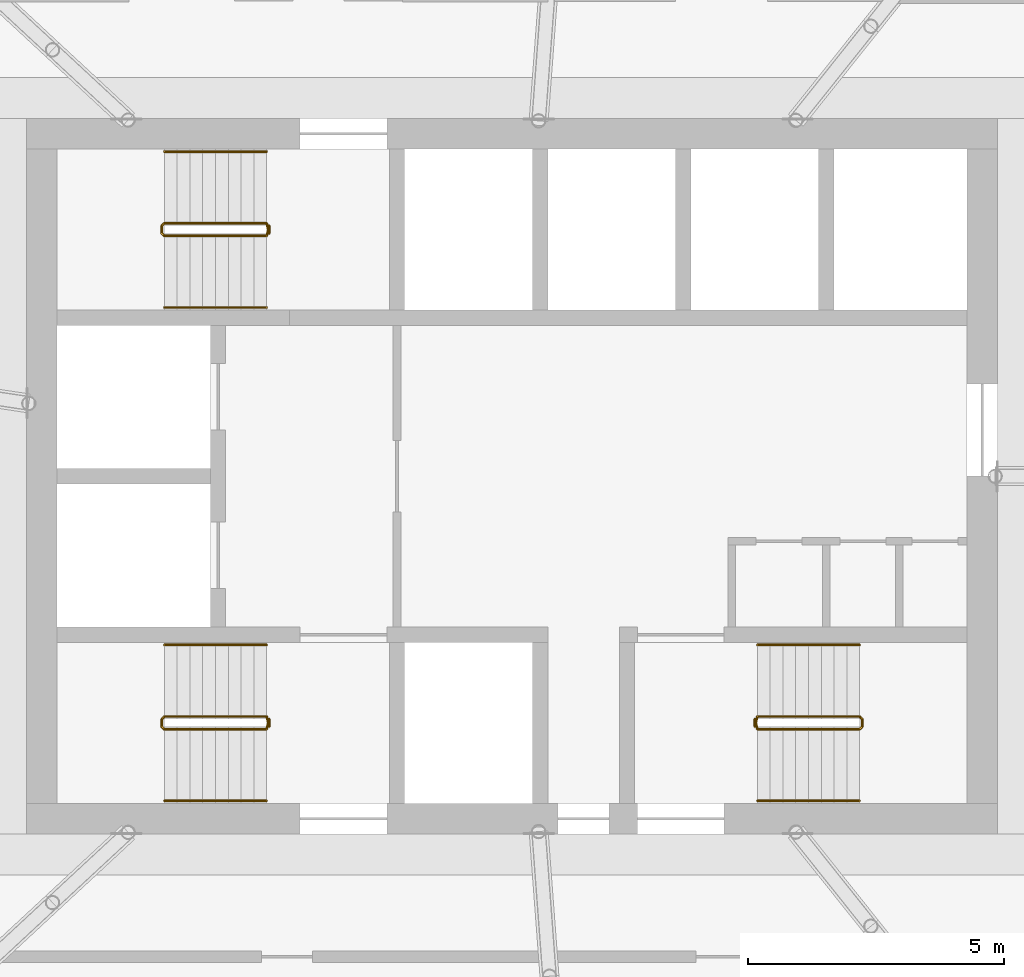
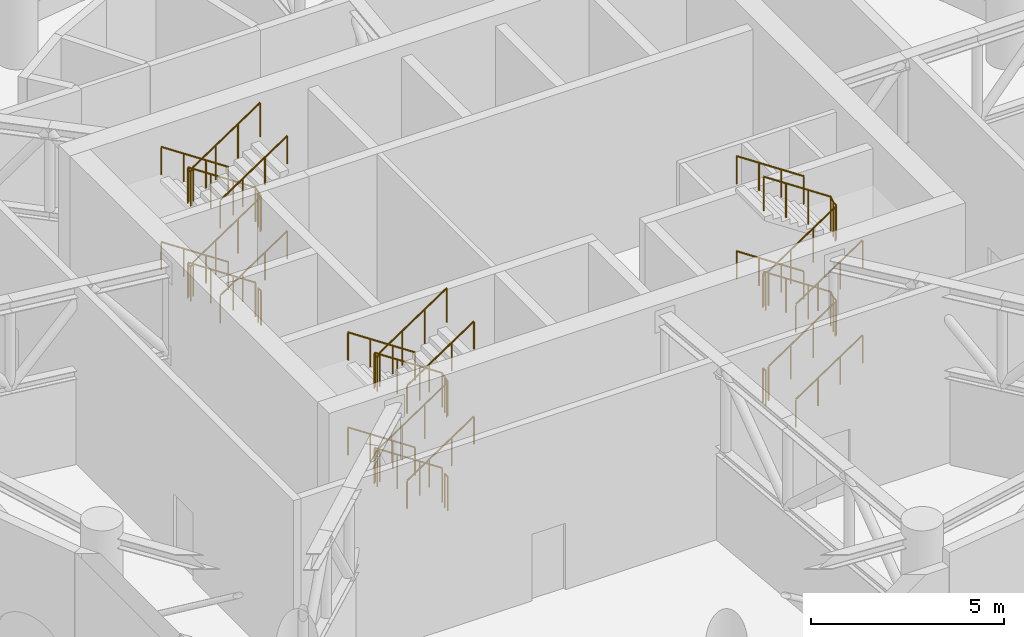
# One storey, part 13 of 13: 18 railings.
"""IFC4 building model written with IfcOpenShell, lengths in metres."""

from ifc_helpers import new_model, si_unit, direction, frame, origin, origin_2d, place, context, subcontext, project, spatial, circle, extrude, material, type_object, element, save


model = new_model("IFC4")

# Units and contexts
model_context = context("Model", 3, precision=1e-05, world=origin(), true_north=direction((0.0, 1.0)))
body_context = subcontext(model_context, "Body", "Model", "MODEL_VIEW")
ifc_project = project(units=[si_unit("LENGTHUNIT", "METRE"), si_unit("AREAUNIT", "SQUARE_METRE"), si_unit("VOLUMEUNIT", "CUBIC_METRE"), si_unit("PLANEANGLEUNIT", "RADIAN"), si_unit("MASSUNIT", "GRAM", prefix="KILO")], contexts=[model_context])

# Site, building, storey
site_placement = place(None, origin())
site = spatial("IfcSite", under=ifc_project, at=site_placement, CompositionType="ELEMENT")
building_placement = place(site_placement, origin())
building = spatial("IfcBuilding", under=site, at=building_placement, Name="Tracery Tower", CompositionType="ELEMENT")
storey_placement = place(building_placement, frame((0.0, 0.0, 277.800048828125)))
storey = spatial("IfcBuildingStorey", under=building, at=storey_placement, Name="L72 Plant", CompositionType="ELEMENT", Elevation=277.800048828125)

# Railings
ifc_material_1 = material(Name="Stainless steel and laminated glass", Category="steel")
railing_type_1 = type_object("IfcRailingType", Name="Stair guard 1100", PredefinedType="GUARDRAIL", material=ifc_material_1)
railing_1_placement = place(storey_placement, frame((-4.800048828125, -4.699951171875, 0.16650390625)))
element("IfcRailing", 1, at=railing_1_placement, inside=storey, type_object=railing_type_1, Name="L72 Plant stair ST1 guard 1", PredefinedType="GUARDRAIL", context=body_context, shape_type="SweptSolid", body=[
    extrude(circle(Radius=0.02392578125, at=origin_2d()), frame((0.0, 0.0, 1.076171875), z_axis=(-0.832019042302, 0.0, 0.554747071418), x_axis=(0.0, -1.0, 0.0)), (0.0, 0.0, 1.0), 2.40380859375),
    extrude(circle(Radius=0.02392578125, at=origin_2d()), frame((-2.0, 0.0, 2.40966796875), z_axis=(-0.707106781187, -0.707106781187, 0.0), x_axis=(0.707106781187, -0.707106781187, 0.0)), (0.0, 0.0, 1.0), 0.07080078125),
    extrude(circle(Radius=0.02392578125, at=origin_2d()), frame((-2.050048828125, -0.050048828125, 2.40966796875), z_axis=(0.0, -1.0, 0.0), x_axis=(1.0, 0.0, 0.0)), (0.0, 0.0, 1.0), 0.14990234375),
    extrude(circle(Radius=0.02392578125, at=origin_2d()), frame((-2.050048828125, -0.199951171875, 2.40966796875), z_axis=(0.27662974545, -0.27662974545, 0.920299933644), x_axis=(0.707106781187, 0.707106781187, 0.0)), (0.0, 0.0, 1.0), 0.180908203125),
    extrude(circle(Radius=0.02392578125, at=origin_2d()), frame((-2.0, -0.25, 2.576171875), z_axis=(0.832019042302, 0.0, 0.554747071418), x_axis=(0.0, 1.0, 0.0)), (0.0, 0.0, 1.0), 2.40380859375),
    extrude(circle(Radius=0.02392578125, at=origin_2d()), frame((0.0, -0.25, 3.90966796875), z_axis=(0.242814311512, 0.970072785993, 0.0), x_axis=(-0.970072785993, 0.242814311512, 0.0)), (0.0, 0.0, 1.0), 0.2060546875),
    extrude(circle(Radius=0.02392578125, at=origin_2d()), frame((0.050048828125, -0.050048828125, 3.90966796875), z_axis=(0.0, -1.0, 0.0), x_axis=(1.0, 0.0, 0.0)), (0.0, 0.0, 1.0), 0.14990234375),
    extrude(circle(Radius=0.02392578125, at=origin_2d()), frame((0.050048828125, -0.199951171875, 3.90966796875), z_axis=(-0.188885146209, 0.754619193878, 0.628388632753), x_axis=(-0.970072785993, -0.242814311512, 0.0)), (0.0, 0.0, 1.0), 0.264892578125),
    extrude(circle(Radius=0.02392578125, at=origin_2d()), frame((0.0, 0.0, 4.076171875), z_axis=(-0.832019042302, 0.0, 0.554747071418), x_axis=(0.0, -1.0, 0.0)), (0.0, 0.0, 1.0), 2.40380859375),
    extrude(circle(Radius=0.02392578125, at=origin_2d()), frame((-2.0, 0.0, 5.40966796875), z_axis=(-0.707106781187, -0.707106781187, 0.0), x_axis=(0.707106781187, -0.707106781187, 0.0)), (0.0, 0.0, 1.0), 0.07080078125),
    extrude(circle(Radius=0.02392578125, at=origin_2d()), frame((-2.050048828125, -0.050048828125, 5.40966796875), z_axis=(0.0, -1.0, 0.0), x_axis=(1.0, 0.0, 0.0)), (0.0, 0.0, 1.0), 0.14990234375),
    extrude(circle(Radius=0.02392578125, at=origin_2d()), frame((-2.050048828125, -0.199951171875, 5.40966796875), z_axis=(0.27662974545, -0.27662974545, 0.920299933644), x_axis=(0.707106781187, 0.707106781187, 0.0)), (0.0, 0.0, 1.0), 0.180908203125),
    extrude(circle(Radius=0.02392578125, at=origin_2d()), frame((-2.0, -0.25, 5.576171875), z_axis=(0.832019042302, 0.0, 0.554747071418), x_axis=(0.0, 1.0, 0.0)), (0.0, 0.0, 1.0), 2.40380859375),
    extrude(circle(Radius=0.02099609375, at=origin_2d()), origin(), (0.0, 0.0, 1.0), 1.052001953125),
    extrude(circle(Radius=0.02099609375, at=origin_2d()), frame((-0.666748046875, 0.0, 0.444580078125)), (0.0, 0.0, 1.0), 1.052001953125),
    extrude(circle(Radius=0.02099609375, at=origin_2d()), frame((-1.333251953125, 0.0, 0.888916015625)), (0.0, 0.0, 1.0), 1.052001953125),
    extrude(circle(Radius=0.02099609375, at=origin_2d()), frame((-2.0, 0.0, 1.33349609375)), (0.0, 0.0, 1.0), 1.052001953125),
    extrude(circle(Radius=0.02099609375, at=origin_2d()), frame((-2.050048828125, -0.050048828125, 1.33349609375)), (0.0, 0.0, 1.0), 1.052001953125),
    extrude(circle(Radius=0.02099609375, at=origin_2d()), frame((-2.050048828125, -0.199951171875, 1.33349609375)), (0.0, 0.0, 1.0), 1.052001953125),
    extrude(circle(Radius=0.02099609375, at=origin_2d()), frame((-2.0, -0.25, 1.5)), (0.0, 0.0, 1.0), 1.052001953125),
    extrude(circle(Radius=0.02099609375, at=origin_2d()), frame((-1.333251953125, -0.25, 1.944580078125)), (0.0, 0.0, 1.0), 1.052001953125),
    extrude(circle(Radius=0.02099609375, at=origin_2d()), frame((-0.666748046875, -0.25, 2.388916015625)), (0.0, 0.0, 1.0), 1.052001953125),
    extrude(circle(Radius=0.02099609375, at=origin_2d()), frame((0.0, -0.25, 2.83349609375)), (0.0, 0.0, 1.0), 1.052001953125),
    extrude(circle(Radius=0.02099609375, at=origin_2d()), frame((0.050048828125, -0.050048828125, 2.83349609375)), (0.0, 0.0, 1.0), 1.052001953125),
    extrude(circle(Radius=0.02099609375, at=origin_2d()), frame((0.050048828125, -0.199951171875, 2.83349609375)), (0.0, 0.0, 1.0), 1.052001953125),
    extrude(circle(Radius=0.02099609375, at=origin_2d()), frame((0.0, 0.0, 3.0)), (0.0, 0.0, 1.0), 1.052001953125),
    extrude(circle(Radius=0.02099609375, at=origin_2d()), frame((-0.666748046875, 0.0, 3.444580078125)), (0.0, 0.0, 1.0), 1.052001953125),
    extrude(circle(Radius=0.02099609375, at=origin_2d()), frame((-1.333251953125, 0.0, 3.888916015625)), (0.0, 0.0, 1.0), 1.052001953125),
    extrude(circle(Radius=0.02099609375, at=origin_2d()), frame((-2.0, 0.0, 4.33349609375)), (0.0, 0.0, 1.0), 1.052001953125),
    extrude(circle(Radius=0.02099609375, at=origin_2d()), frame((-2.050048828125, -0.050048828125, 4.33349609375)), (0.0, 0.0, 1.0), 1.052001953125),
    extrude(circle(Radius=0.02099609375, at=origin_2d()), frame((-2.050048828125, -0.199951171875, 4.33349609375)), (0.0, 0.0, 1.0), 1.052001953125),
    extrude(circle(Radius=0.02099609375, at=origin_2d()), frame((-2.0, -0.25, 4.5)), (0.0, 0.0, 1.0), 1.052001953125),
    extrude(circle(Radius=0.02099609375, at=origin_2d()), frame((-1.333251953125, -0.25, 4.944580078125)), (0.0, 0.0, 1.0), 1.052001953125),
    extrude(circle(Radius=0.02099609375, at=origin_2d()), frame((-0.666748046875, -0.25, 5.388916015625)), (0.0, 0.0, 1.0), 1.052001953125),
    extrude(circle(Radius=0.02099609375, at=origin_2d()), frame((0.0, -0.25, 5.83349609375)), (0.0, 0.0, 1.0), 1.052001953125),
])
railing_2_placement = place(storey_placement, frame((-4.75, -4.75, 0.0)))
element("IfcRailing", 2, at=railing_2_placement, inside=storey, type_object=railing_type_1, Name="L72 Plant stair ST1 guard 2", PredefinedType="GUARDRAIL", context=body_context, shape_type="SweptSolid", body=[
    extrude(circle(Radius=0.02392578125, at=origin_2d()), frame((0.0, 0.0, 1.076171875), z_axis=(0.0, -1.0, 0.0), x_axis=(1.0, 0.0, 0.0)), (0.0, 0.0, 1.0), 0.14990234375),
    extrude(circle(Radius=0.02099609375, at=origin_2d()), origin(), (0.0, 0.0, 1.0), 1.052001953125),
    extrude(circle(Radius=0.02099609375, at=origin_2d()), frame((0.0, -0.14990234375, 0.0)), (0.0, 0.0, 1.0), 1.052001953125),
])
railing_3_placement = place(storey_placement, frame((-4.800048828125, 4.949951171875, 0.16650390625)))
element("IfcRailing", 3, at=railing_3_placement, inside=storey, type_object=railing_type_1, Name="L72 Plant stair ST3 guard 1", PredefinedType="GUARDRAIL", context=body_context, shape_type="SweptSolid", body=[
    extrude(circle(Radius=0.02392578125, at=origin_2d()), frame((0.0, 0.0, 1.076171875), z_axis=(-0.832019042302, 0.0, 0.554747071418), x_axis=(0.0, -1.0, 0.0)), (0.0, 0.0, 1.0), 2.40380859375),
    extrude(circle(Radius=0.02392578125, at=origin_2d()), frame((-2.0, 0.0, 2.40966796875), z_axis=(-0.707106781187, -0.707106781187, 0.0), x_axis=(0.707106781187, -0.707106781187, 0.0)), (0.0, 0.0, 1.0), 0.07080078125),
    extrude(circle(Radius=0.02392578125, at=origin_2d()), frame((-2.050048828125, -0.050048828125, 2.40966796875), z_axis=(0.0, -1.0, 0.0), x_axis=(1.0, 0.0, 0.0)), (0.0, 0.0, 1.0), 0.14990234375),
    extrude(circle(Radius=0.02392578125, at=origin_2d()), frame((-2.050048828125, -0.199951171875, 2.40966796875), z_axis=(0.27662974545, -0.27662974545, 0.920299933644), x_axis=(0.707106781187, 0.707106781187, 0.0)), (0.0, 0.0, 1.0), 0.180908203125),
    extrude(circle(Radius=0.02392578125, at=origin_2d()), frame((-2.0, -0.25, 2.576171875), z_axis=(0.832019042302, 0.0, 0.554747071418), x_axis=(0.0, 1.0, 0.0)), (0.0, 0.0, 1.0), 2.40380859375),
    extrude(circle(Radius=0.02392578125, at=origin_2d()), frame((0.0, -0.25, 3.90966796875), z_axis=(0.242814311512, 0.970072785993, 0.0), x_axis=(-0.970072785993, 0.242814311512, 0.0)), (0.0, 0.0, 1.0), 0.2060546875),
    extrude(circle(Radius=0.02392578125, at=origin_2d()), frame((0.050048828125, -0.050048828125, 3.90966796875), z_axis=(0.0, -1.0, 0.0), x_axis=(1.0, 0.0, 0.0)), (0.0, 0.0, 1.0), 0.14990234375),
    extrude(circle(Radius=0.02392578125, at=origin_2d()), frame((0.050048828125, -0.199951171875, 3.90966796875), z_axis=(-0.188885146209, 0.754619193878, 0.628388632753), x_axis=(-0.970072785993, -0.242814311512, 0.0)), (0.0, 0.0, 1.0), 0.264892578125),
    extrude(circle(Radius=0.02392578125, at=origin_2d()), frame((0.0, 0.0, 4.076171875), z_axis=(-0.832019042302, 0.0, 0.554747071418), x_axis=(0.0, -1.0, 0.0)), (0.0, 0.0, 1.0), 2.40380859375),
    extrude(circle(Radius=0.02392578125, at=origin_2d()), frame((-2.0, 0.0, 5.40966796875), z_axis=(-0.707106781187, -0.707106781187, 0.0), x_axis=(0.707106781187, -0.707106781187, 0.0)), (0.0, 0.0, 1.0), 0.07080078125),
    extrude(circle(Radius=0.02392578125, at=origin_2d()), frame((-2.050048828125, -0.050048828125, 5.40966796875), z_axis=(0.0, -1.0, 0.0), x_axis=(1.0, 0.0, 0.0)), (0.0, 0.0, 1.0), 0.14990234375),
    extrude(circle(Radius=0.02392578125, at=origin_2d()), frame((-2.050048828125, -0.199951171875, 5.40966796875), z_axis=(0.27662974545, -0.27662974545, 0.920299933644), x_axis=(0.707106781187, 0.707106781187, 0.0)), (0.0, 0.0, 1.0), 0.180908203125),
    extrude(circle(Radius=0.02392578125, at=origin_2d()), frame((-2.0, -0.25, 5.576171875), z_axis=(0.832019042302, 0.0, 0.554747071418), x_axis=(0.0, 1.0, 0.0)), (0.0, 0.0, 1.0), 2.40380859375),
    extrude(circle(Radius=0.02099609375, at=origin_2d()), origin(), (0.0, 0.0, 1.0), 1.052001953125),
    extrude(circle(Radius=0.02099609375, at=origin_2d()), frame((-0.666748046875, 0.0, 0.444580078125)), (0.0, 0.0, 1.0), 1.052001953125),
    extrude(circle(Radius=0.02099609375, at=origin_2d()), frame((-1.333251953125, 0.0, 0.888916015625)), (0.0, 0.0, 1.0), 1.052001953125),
    extrude(circle(Radius=0.02099609375, at=origin_2d()), frame((-2.0, 0.0, 1.33349609375)), (0.0, 0.0, 1.0), 1.052001953125),
    extrude(circle(Radius=0.02099609375, at=origin_2d()), frame((-2.050048828125, -0.050048828125, 1.33349609375)), (0.0, 0.0, 1.0), 1.052001953125),
    extrude(circle(Radius=0.02099609375, at=origin_2d()), frame((-2.050048828125, -0.199951171875, 1.33349609375)), (0.0, 0.0, 1.0), 1.052001953125),
    extrude(circle(Radius=0.02099609375, at=origin_2d()), frame((-2.0, -0.25, 1.5)), (0.0, 0.0, 1.0), 1.052001953125),
    extrude(circle(Radius=0.02099609375, at=origin_2d()), frame((-1.333251953125, -0.25, 1.944580078125)), (0.0, 0.0, 1.0), 1.052001953125),
    extrude(circle(Radius=0.02099609375, at=origin_2d()), frame((-0.666748046875, -0.25, 2.388916015625)), (0.0, 0.0, 1.0), 1.052001953125),
    extrude(circle(Radius=0.02099609375, at=origin_2d()), frame((0.0, -0.25, 2.83349609375)), (0.0, 0.0, 1.0), 1.052001953125),
    extrude(circle(Radius=0.02099609375, at=origin_2d()), frame((0.050048828125, -0.050048828125, 2.83349609375)), (0.0, 0.0, 1.0), 1.052001953125),
    extrude(circle(Radius=0.02099609375, at=origin_2d()), frame((0.050048828125, -0.199951171875, 2.83349609375)), (0.0, 0.0, 1.0), 1.052001953125),
    extrude(circle(Radius=0.02099609375, at=origin_2d()), frame((0.0, 0.0, 3.0)), (0.0, 0.0, 1.0), 1.052001953125),
    extrude(circle(Radius=0.02099609375, at=origin_2d()), frame((-0.666748046875, 0.0, 3.444580078125)), (0.0, 0.0, 1.0), 1.052001953125),
    extrude(circle(Radius=0.02099609375, at=origin_2d()), frame((-1.333251953125, 0.0, 3.888916015625)), (0.0, 0.0, 1.0), 1.052001953125),
    extrude(circle(Radius=0.02099609375, at=origin_2d()), frame((-2.0, 0.0, 4.33349609375)), (0.0, 0.0, 1.0), 1.052001953125),
    extrude(circle(Radius=0.02099609375, at=origin_2d()), frame((-2.050048828125, -0.050048828125, 4.33349609375)), (0.0, 0.0, 1.0), 1.052001953125),
    extrude(circle(Radius=0.02099609375, at=origin_2d()), frame((-2.050048828125, -0.199951171875, 4.33349609375)), (0.0, 0.0, 1.0), 1.052001953125),
    extrude(circle(Radius=0.02099609375, at=origin_2d()), frame((-2.0, -0.25, 4.5)), (0.0, 0.0, 1.0), 1.052001953125),
    extrude(circle(Radius=0.02099609375, at=origin_2d()), frame((-1.333251953125, -0.25, 4.944580078125)), (0.0, 0.0, 1.0), 1.052001953125),
    extrude(circle(Radius=0.02099609375, at=origin_2d()), frame((-0.666748046875, -0.25, 5.388916015625)), (0.0, 0.0, 1.0), 1.052001953125),
    extrude(circle(Radius=0.02099609375, at=origin_2d()), frame((0.0, -0.25, 5.83349609375)), (0.0, 0.0, 1.0), 1.052001953125),
])
railing_4_placement = place(storey_placement, frame((-4.75, 4.89990234375, 0.0)))
element("IfcRailing", 4, at=railing_4_placement, inside=storey, type_object=railing_type_1, Name="L72 Plant stair ST3 guard 2", PredefinedType="GUARDRAIL", context=body_context, shape_type="SweptSolid", body=[
    extrude(circle(Radius=0.02392578125, at=origin_2d()), frame((0.0, 0.0, 1.076171875), z_axis=(0.0, -1.0, 0.0), x_axis=(1.0, 0.0, 0.0)), (0.0, 0.0, 1.0), 0.14990234375),
    extrude(circle(Radius=0.02099609375, at=origin_2d()), origin(), (0.0, 0.0, 1.0), 1.052001953125),
    extrude(circle(Radius=0.02099609375, at=origin_2d()), frame((0.0, -0.14990234375, 0.0)), (0.0, 0.0, 1.0), 1.052001953125),
])
railing_5_placement = place(storey_placement, frame((4.800048828125, -4.949951171875, 0.16650390625)))
element("IfcRailing", 5, at=railing_5_placement, inside=storey, type_object=railing_type_1, Name="L72 Plant stair ST2 guard 1", PredefinedType="GUARDRAIL", context=body_context, shape_type="SweptSolid", body=[
    extrude(circle(Radius=0.02392578125, at=origin_2d()), frame((0.0, 0.0, 1.076171875), z_axis=(0.832019042302, 0.0, 0.554747071418), x_axis=(0.0, 1.0, 0.0)), (0.0, 0.0, 1.0), 2.40380859375),
    extrude(circle(Radius=0.02392578125, at=origin_2d()), frame((2.0, 0.0, 2.40966796875), z_axis=(0.707106781187, 0.707106781187, 0.0), x_axis=(-0.707106781187, 0.707106781187, 0.0)), (0.0, 0.0, 1.0), 0.07080078125),
    extrude(circle(Radius=0.02392578125, at=origin_2d()), frame((2.050048828125, 0.050048828125, 2.40966796875), z_axis=(0.0, 1.0, 0.0), x_axis=(-1.0, 0.0, 0.0)), (0.0, 0.0, 1.0), 0.14990234375),
    extrude(circle(Radius=0.02392578125, at=origin_2d()), frame((2.050048828125, 0.199951171875, 2.40966796875), z_axis=(-0.27662974545, 0.27662974545, 0.920299933644), x_axis=(-0.707106781187, -0.707106781187, 0.0)), (0.0, 0.0, 1.0), 0.180908203125),
    extrude(circle(Radius=0.02392578125, at=origin_2d()), frame((2.0, 0.25, 2.576171875), z_axis=(-0.832019042302, 0.0, 0.554747071418), x_axis=(0.0, -1.0, 0.0)), (0.0, 0.0, 1.0), 2.40380859375),
    extrude(circle(Radius=0.02392578125, at=origin_2d()), frame((0.0, 0.25, 3.90966796875), z_axis=(-0.242814311512, -0.970072785993, 0.0), x_axis=(0.970072785993, -0.242814311512, 0.0)), (0.0, 0.0, 1.0), 0.2060546875),
    extrude(circle(Radius=0.02392578125, at=origin_2d()), frame((-0.050048828125, 0.050048828125, 3.90966796875), z_axis=(0.0, 1.0, 0.0), x_axis=(-1.0, 0.0, 0.0)), (0.0, 0.0, 1.0), 0.14990234375),
    extrude(circle(Radius=0.02392578125, at=origin_2d()), frame((-0.050048828125, 0.199951171875, 3.90966796875), z_axis=(0.188885146209, -0.754619193878, 0.628388632753), x_axis=(0.970072785993, 0.242814311512, 0.0)), (0.0, 0.0, 1.0), 0.264892578125),
    extrude(circle(Radius=0.02392578125, at=origin_2d()), frame((0.0, 0.0, 4.076171875), z_axis=(0.832019042302, 0.0, 0.554747071418), x_axis=(0.0, 1.0, 0.0)), (0.0, 0.0, 1.0), 2.40380859375),
    extrude(circle(Radius=0.02392578125, at=origin_2d()), frame((2.0, 0.0, 5.40966796875), z_axis=(0.707106781187, 0.707106781187, 0.0), x_axis=(-0.707106781187, 0.707106781187, 0.0)), (0.0, 0.0, 1.0), 0.07080078125),
    extrude(circle(Radius=0.02392578125, at=origin_2d()), frame((2.050048828125, 0.050048828125, 5.40966796875), z_axis=(0.0, 1.0, 0.0), x_axis=(-1.0, 0.0, 0.0)), (0.0, 0.0, 1.0), 0.14990234375),
    extrude(circle(Radius=0.02392578125, at=origin_2d()), frame((2.050048828125, 0.199951171875, 5.40966796875), z_axis=(-0.27662974545, 0.27662974545, 0.920299933644), x_axis=(-0.707106781187, -0.707106781187, 0.0)), (0.0, 0.0, 1.0), 0.180908203125),
    extrude(circle(Radius=0.02392578125, at=origin_2d()), frame((2.0, 0.25, 5.576171875), z_axis=(-0.832019042302, 0.0, 0.554747071418), x_axis=(0.0, -1.0, 0.0)), (0.0, 0.0, 1.0), 2.40380859375),
    extrude(circle(Radius=0.02099609375, at=origin_2d()), origin(), (0.0, 0.0, 1.0), 1.052001953125),
    extrude(circle(Radius=0.02099609375, at=origin_2d()), frame((0.666748046875, 0.0, 0.444580078125)), (0.0, 0.0, 1.0), 1.052001953125),
    extrude(circle(Radius=0.02099609375, at=origin_2d()), frame((1.333251953125, 0.0, 0.888916015625)), (0.0, 0.0, 1.0), 1.052001953125),
    extrude(circle(Radius=0.02099609375, at=origin_2d()), frame((2.0, 0.0, 1.33349609375)), (0.0, 0.0, 1.0), 1.052001953125),
    extrude(circle(Radius=0.02099609375, at=origin_2d()), frame((2.050048828125, 0.050048828125, 1.33349609375)), (0.0, 0.0, 1.0), 1.052001953125),
    extrude(circle(Radius=0.02099609375, at=origin_2d()), frame((2.050048828125, 0.199951171875, 1.33349609375)), (0.0, 0.0, 1.0), 1.052001953125),
    extrude(circle(Radius=0.02099609375, at=origin_2d()), frame((2.0, 0.25, 1.5)), (0.0, 0.0, 1.0), 1.052001953125),
    extrude(circle(Radius=0.02099609375, at=origin_2d()), frame((1.333251953125, 0.25, 1.944580078125)), (0.0, 0.0, 1.0), 1.052001953125),
    extrude(circle(Radius=0.02099609375, at=origin_2d()), frame((0.666748046875, 0.25, 2.388916015625)), (0.0, 0.0, 1.0), 1.052001953125),
    extrude(circle(Radius=0.02099609375, at=origin_2d()), frame((0.0, 0.25, 2.83349609375)), (0.0, 0.0, 1.0), 1.052001953125),
    extrude(circle(Radius=0.02099609375, at=origin_2d()), frame((-0.050048828125, 0.050048828125, 2.83349609375)), (0.0, 0.0, 1.0), 1.052001953125),
    extrude(circle(Radius=0.02099609375, at=origin_2d()), frame((-0.050048828125, 0.199951171875, 2.83349609375)), (0.0, 0.0, 1.0), 1.052001953125),
    extrude(circle(Radius=0.02099609375, at=origin_2d()), frame((0.0, 0.0, 3.0)), (0.0, 0.0, 1.0), 1.052001953125),
    extrude(circle(Radius=0.02099609375, at=origin_2d()), frame((0.666748046875, 0.0, 3.444580078125)), (0.0, 0.0, 1.0), 1.052001953125),
    extrude(circle(Radius=0.02099609375, at=origin_2d()), frame((1.333251953125, 0.0, 3.888916015625)), (0.0, 0.0, 1.0), 1.052001953125),
    extrude(circle(Radius=0.02099609375, at=origin_2d()), frame((2.0, 0.0, 4.33349609375)), (0.0, 0.0, 1.0), 1.052001953125),
    extrude(circle(Radius=0.02099609375, at=origin_2d()), frame((2.050048828125, 0.050048828125, 4.33349609375)), (0.0, 0.0, 1.0), 1.052001953125),
    extrude(circle(Radius=0.02099609375, at=origin_2d()), frame((2.050048828125, 0.199951171875, 4.33349609375)), (0.0, 0.0, 1.0), 1.052001953125),
    extrude(circle(Radius=0.02099609375, at=origin_2d()), frame((2.0, 0.25, 4.5)), (0.0, 0.0, 1.0), 1.052001953125),
    extrude(circle(Radius=0.02099609375, at=origin_2d()), frame((1.333251953125, 0.25, 4.944580078125)), (0.0, 0.0, 1.0), 1.052001953125),
    extrude(circle(Radius=0.02099609375, at=origin_2d()), frame((0.666748046875, 0.25, 5.388916015625)), (0.0, 0.0, 1.0), 1.052001953125),
    extrude(circle(Radius=0.02099609375, at=origin_2d()), frame((0.0, 0.25, 5.83349609375)), (0.0, 0.0, 1.0), 1.052001953125),
])
railing_6_placement = place(storey_placement, frame((4.75, -4.89990234375, 0.0)))
element("IfcRailing", 6, at=railing_6_placement, inside=storey, type_object=railing_type_1, Name="L72 Plant stair ST2 guard 2", PredefinedType="GUARDRAIL", context=body_context, shape_type="SweptSolid", body=[
    extrude(circle(Radius=0.02392578125, at=origin_2d()), frame((0.0, 0.0, 1.076171875), z_axis=(0.0, 1.0, 0.0), x_axis=(-1.0, 0.0, 0.0)), (0.0, 0.0, 1.0), 0.14990234375),
    extrude(circle(Radius=0.02099609375, at=origin_2d()), origin(), (0.0, 0.0, 1.0), 1.052001953125),
    extrude(circle(Radius=0.02099609375, at=origin_2d()), frame((0.0, 0.14990234375, 0.0)), (0.0, 0.0, 1.0), 1.052001953125),
])
ifc_material_2 = material(Name="Stainless steel and laminated glass", Category="steel")
railing_type_2 = type_object("IfcRailingType", Name="Stair handrail 900", PredefinedType="HANDRAIL", material=ifc_material_2)
railing_7_placement = place(storey_placement, frame((-4.800048828125, -3.300048828125, 0.16650390625)))
element("IfcRailing", 7, at=railing_7_placement, inside=storey, type_object=railing_type_2, Name="L72 Plant stair ST1 handrail 1", PredefinedType="HANDRAIL", context=body_context, shape_type="SweptSolid", body=[
    extrude(circle(Radius=0.02392578125, at=origin_2d()), frame((0.0, 0.0, 0.8759765625), z_axis=(-0.832019042302, 0.0, 0.554747071418), x_axis=(0.0, -1.0, 0.0)), (0.0, 0.0, 1.0), 2.40380859375),
    extrude(circle(Radius=0.02099609375, at=origin_2d()), origin(), (0.0, 0.0, 1.0), 0.851806640625),
    extrude(circle(Radius=0.02099609375, at=origin_2d()), frame((-0.666748046875, 0.0, 0.444580078125)), (0.0, 0.0, 1.0), 0.851806640625),
    extrude(circle(Radius=0.02099609375, at=origin_2d()), frame((-1.333251953125, 0.0, 0.888916015625)), (0.0, 0.0, 1.0), 0.851806640625),
    extrude(circle(Radius=0.02099609375, at=origin_2d()), frame((-2.0, 0.0, 1.33349609375)), (0.0, 0.0, 1.0), 0.851806640625),
])
railing_8_placement = place(storey_placement, frame((-6.800048828125, -6.35009765625, 1.66650390625)))
element("IfcRailing", 8, at=railing_8_placement, inside=storey, type_object=railing_type_2, Name="L72 Plant stair ST1 handrail 2", PredefinedType="HANDRAIL", context=body_context, shape_type="SweptSolid", body=[
    extrude(circle(Radius=0.02392578125, at=origin_2d()), frame((0.0, 0.0, 0.8759765625), z_axis=(0.832019042302, 0.0, 0.554747071418), x_axis=(0.0, 1.0, 0.0)), (0.0, 0.0, 1.0), 2.40380859375),
    extrude(circle(Radius=0.02099609375, at=origin_2d()), origin(), (0.0, 0.0, 1.0), 0.851806640625),
    extrude(circle(Radius=0.02099609375, at=origin_2d()), frame((0.666748046875, 0.0, 0.444580078125)), (0.0, 0.0, 1.0), 0.851806640625),
    extrude(circle(Radius=0.02099609375, at=origin_2d()), frame((1.333251953125, 0.0, 0.888916015625)), (0.0, 0.0, 1.0), 0.851806640625),
    extrude(circle(Radius=0.02099609375, at=origin_2d()), frame((2.0, 0.0, 1.33349609375)), (0.0, 0.0, 1.0), 0.851806640625),
])
railing_9_placement = place(storey_placement, frame((-4.800048828125, -3.300048828125, 3.16650390625)))
element("IfcRailing", 9, at=railing_9_placement, inside=storey, type_object=railing_type_2, Name="L72 Plant stair ST1 handrail 3", PredefinedType="HANDRAIL", context=body_context, shape_type="SweptSolid", body=[
    extrude(circle(Radius=0.02392578125, at=origin_2d()), frame((0.0, 0.0, 0.8759765625), z_axis=(-0.832019042302, 0.0, 0.554747071418), x_axis=(0.0, -1.0, 0.0)), (0.0, 0.0, 1.0), 2.40380859375),
    extrude(circle(Radius=0.02099609375, at=origin_2d()), origin(), (0.0, 0.0, 1.0), 0.851806640625),
    extrude(circle(Radius=0.02099609375, at=origin_2d()), frame((-0.666748046875, 0.0, 0.444580078125)), (0.0, 0.0, 1.0), 0.851806640625),
    extrude(circle(Radius=0.02099609375, at=origin_2d()), frame((-1.333251953125, 0.0, 0.888916015625)), (0.0, 0.0, 1.0), 0.851806640625),
    extrude(circle(Radius=0.02099609375, at=origin_2d()), frame((-2.0, 0.0, 1.33349609375)), (0.0, 0.0, 1.0), 0.851806640625),
])
railing_10_placement = place(storey_placement, frame((-6.800048828125, -6.35009765625, 4.66650390625)))
element("IfcRailing", 10, at=railing_10_placement, inside=storey, type_object=railing_type_2, Name="L72 Plant stair ST1 handrail 4", PredefinedType="HANDRAIL", context=body_context, shape_type="SweptSolid", body=[
    extrude(circle(Radius=0.02392578125, at=origin_2d()), frame((0.0, 0.0, 0.8759765625), z_axis=(0.832019042302, 0.0, 0.554747071418), x_axis=(0.0, 1.0, 0.0)), (0.0, 0.0, 1.0), 2.40380859375),
    extrude(circle(Radius=0.02099609375, at=origin_2d()), origin(), (0.0, 0.0, 1.0), 0.851806640625),
    extrude(circle(Radius=0.02099609375, at=origin_2d()), frame((0.666748046875, 0.0, 0.444580078125)), (0.0, 0.0, 1.0), 0.851806640625),
    extrude(circle(Radius=0.02099609375, at=origin_2d()), frame((1.333251953125, 0.0, 0.888916015625)), (0.0, 0.0, 1.0), 0.851806640625),
    extrude(circle(Radius=0.02099609375, at=origin_2d()), frame((2.0, 0.0, 1.33349609375)), (0.0, 0.0, 1.0), 0.851806640625),
])
railing_11_placement = place(storey_placement, frame((-4.800048828125, 6.35009765625, 0.16650390625)))
element("IfcRailing", 11, at=railing_11_placement, inside=storey, type_object=railing_type_2, Name="L72 Plant stair ST3 handrail 1", PredefinedType="HANDRAIL", context=body_context, shape_type="SweptSolid", body=[
    extrude(circle(Radius=0.02392578125, at=origin_2d()), frame((0.0, 0.0, 0.8759765625), z_axis=(-0.832019042302, 0.0, 0.554747071418), x_axis=(0.0, -1.0, 0.0)), (0.0, 0.0, 1.0), 2.40380859375),
    extrude(circle(Radius=0.02099609375, at=origin_2d()), origin(), (0.0, 0.0, 1.0), 0.851806640625),
    extrude(circle(Radius=0.02099609375, at=origin_2d()), frame((-0.666748046875, 0.0, 0.444580078125)), (0.0, 0.0, 1.0), 0.851806640625),
    extrude(circle(Radius=0.02099609375, at=origin_2d()), frame((-1.333251953125, 0.0, 0.888916015625)), (0.0, 0.0, 1.0), 0.851806640625),
    extrude(circle(Radius=0.02099609375, at=origin_2d()), frame((-2.0, 0.0, 1.33349609375)), (0.0, 0.0, 1.0), 0.851806640625),
])
railing_12_placement = place(storey_placement, frame((-6.800048828125, 3.300048828125, 1.66650390625)))
element("IfcRailing", 12, at=railing_12_placement, inside=storey, type_object=railing_type_2, Name="L72 Plant stair ST3 handrail 2", PredefinedType="HANDRAIL", context=body_context, shape_type="SweptSolid", body=[
    extrude(circle(Radius=0.02392578125, at=origin_2d()), frame((0.0, 0.0, 0.8759765625), z_axis=(0.832019042302, 0.0, 0.554747071418), x_axis=(0.0, 1.0, 0.0)), (0.0, 0.0, 1.0), 2.40380859375),
    extrude(circle(Radius=0.02099609375, at=origin_2d()), origin(), (0.0, 0.0, 1.0), 0.851806640625),
    extrude(circle(Radius=0.02099609375, at=origin_2d()), frame((0.666748046875, 0.0, 0.444580078125)), (0.0, 0.0, 1.0), 0.851806640625),
    extrude(circle(Radius=0.02099609375, at=origin_2d()), frame((1.333251953125, 0.0, 0.888916015625)), (0.0, 0.0, 1.0), 0.851806640625),
    extrude(circle(Radius=0.02099609375, at=origin_2d()), frame((2.0, 0.0, 1.33349609375)), (0.0, 0.0, 1.0), 0.851806640625),
])
railing_13_placement = place(storey_placement, frame((-4.800048828125, 6.35009765625, 3.16650390625)))
element("IfcRailing", 13, at=railing_13_placement, inside=storey, type_object=railing_type_2, Name="L72 Plant stair ST3 handrail 3", PredefinedType="HANDRAIL", context=body_context, shape_type="SweptSolid", body=[
    extrude(circle(Radius=0.02392578125, at=origin_2d()), frame((0.0, 0.0, 0.8759765625), z_axis=(-0.832019042302, 0.0, 0.554747071418), x_axis=(0.0, -1.0, 0.0)), (0.0, 0.0, 1.0), 2.40380859375),
    extrude(circle(Radius=0.02099609375, at=origin_2d()), origin(), (0.0, 0.0, 1.0), 0.851806640625),
    extrude(circle(Radius=0.02099609375, at=origin_2d()), frame((-0.666748046875, 0.0, 0.444580078125)), (0.0, 0.0, 1.0), 0.851806640625),
    extrude(circle(Radius=0.02099609375, at=origin_2d()), frame((-1.333251953125, 0.0, 0.888916015625)), (0.0, 0.0, 1.0), 0.851806640625),
    extrude(circle(Radius=0.02099609375, at=origin_2d()), frame((-2.0, 0.0, 1.33349609375)), (0.0, 0.0, 1.0), 0.851806640625),
])
for number, where, name in (
    (14, (-6.800048828125, 3.300048828125, 4.66650390625), "L72 Plant stair ST3 handrail 4"),
    (15, (4.800048828125, -6.35009765625, 0.16650390625), "L72 Plant stair ST2 handrail 1"),
):
    element("IfcRailing", number, at=place(storey_placement, frame(where)), inside=storey, type_object=railing_type_2, Name=name, PredefinedType="HANDRAIL", context=body_context, shape_type="SweptSolid", body=[
        extrude(circle(Radius=0.02392578125, at=origin_2d()), frame((0.0, 0.0, 0.8759765625), z_axis=(0.832019042302, 0.0, 0.554747071418), x_axis=(0.0, 1.0, 0.0)), (0.0, 0.0, 1.0), 2.40380859375),
        extrude(circle(Radius=0.02099609375, at=origin_2d()), origin(), (0.0, 0.0, 1.0), 0.851806640625),
        extrude(circle(Radius=0.02099609375, at=origin_2d()), frame((0.666748046875, 0.0, 0.444580078125)), (0.0, 0.0, 1.0), 0.851806640625),
        extrude(circle(Radius=0.02099609375, at=origin_2d()), frame((1.333251953125, 0.0, 0.888916015625)), (0.0, 0.0, 1.0), 0.851806640625),
        extrude(circle(Radius=0.02099609375, at=origin_2d()), frame((2.0, 0.0, 1.33349609375)), (0.0, 0.0, 1.0), 0.851806640625),
    ])
railing_14_placement = place(storey_placement, frame((6.800048828125, -3.300048828125, 1.66650390625)))
element("IfcRailing", 16, at=railing_14_placement, inside=storey, type_object=railing_type_2, Name="L72 Plant stair ST2 handrail 2", PredefinedType="HANDRAIL", context=body_context, shape_type="SweptSolid", body=[
    extrude(circle(Radius=0.02392578125, at=origin_2d()), frame((0.0, 0.0, 0.8759765625), z_axis=(-0.832019042302, 0.0, 0.554747071418), x_axis=(0.0, -1.0, 0.0)), (0.0, 0.0, 1.0), 2.40380859375),
    extrude(circle(Radius=0.02099609375, at=origin_2d()), origin(), (0.0, 0.0, 1.0), 0.851806640625),
    extrude(circle(Radius=0.02099609375, at=origin_2d()), frame((-0.666748046875, 0.0, 0.444580078125)), (0.0, 0.0, 1.0), 0.851806640625),
    extrude(circle(Radius=0.02099609375, at=origin_2d()), frame((-1.333251953125, 0.0, 0.888916015625)), (0.0, 0.0, 1.0), 0.851806640625),
    extrude(circle(Radius=0.02099609375, at=origin_2d()), frame((-2.0, 0.0, 1.33349609375)), (0.0, 0.0, 1.0), 0.851806640625),
])
railing_15_placement = place(storey_placement, frame((4.800048828125, -6.35009765625, 3.16650390625)))
element("IfcRailing", 17, at=railing_15_placement, inside=storey, type_object=railing_type_2, Name="L72 Plant stair ST2 handrail 3", PredefinedType="HANDRAIL", context=body_context, shape_type="SweptSolid", body=[
    extrude(circle(Radius=0.02392578125, at=origin_2d()), frame((0.0, 0.0, 0.8759765625), z_axis=(0.832019042302, 0.0, 0.554747071418), x_axis=(0.0, 1.0, 0.0)), (0.0, 0.0, 1.0), 2.40380859375),
    extrude(circle(Radius=0.02099609375, at=origin_2d()), origin(), (0.0, 0.0, 1.0), 0.851806640625),
    extrude(circle(Radius=0.02099609375, at=origin_2d()), frame((0.666748046875, 0.0, 0.444580078125)), (0.0, 0.0, 1.0), 0.851806640625),
    extrude(circle(Radius=0.02099609375, at=origin_2d()), frame((1.333251953125, 0.0, 0.888916015625)), (0.0, 0.0, 1.0), 0.851806640625),
    extrude(circle(Radius=0.02099609375, at=origin_2d()), frame((2.0, 0.0, 1.33349609375)), (0.0, 0.0, 1.0), 0.851806640625),
])
railing_16_placement = place(storey_placement, frame((6.800048828125, -3.300048828125, 4.66650390625)))
element("IfcRailing", 18, at=railing_16_placement, inside=storey, type_object=railing_type_2, Name="L72 Plant stair ST2 handrail 4", PredefinedType="HANDRAIL", context=body_context, shape_type="SweptSolid", body=[
    extrude(circle(Radius=0.02392578125, at=origin_2d()), frame((0.0, 0.0, 0.8759765625), z_axis=(-0.832019042302, 0.0, 0.554747071418), x_axis=(0.0, -1.0, 0.0)), (0.0, 0.0, 1.0), 2.40380859375),
    extrude(circle(Radius=0.02099609375, at=origin_2d()), origin(), (0.0, 0.0, 1.0), 0.851806640625),
    extrude(circle(Radius=0.02099609375, at=origin_2d()), frame((-0.666748046875, 0.0, 0.444580078125)), (0.0, 0.0, 1.0), 0.851806640625),
    extrude(circle(Radius=0.02099609375, at=origin_2d()), frame((-1.333251953125, 0.0, 0.888916015625)), (0.0, 0.0, 1.0), 0.851806640625),
    extrude(circle(Radius=0.02099609375, at=origin_2d()), frame((-2.0, 0.0, 1.33349609375)), (0.0, 0.0, 1.0), 0.851806640625),
])

save(model, "model.ifc")
